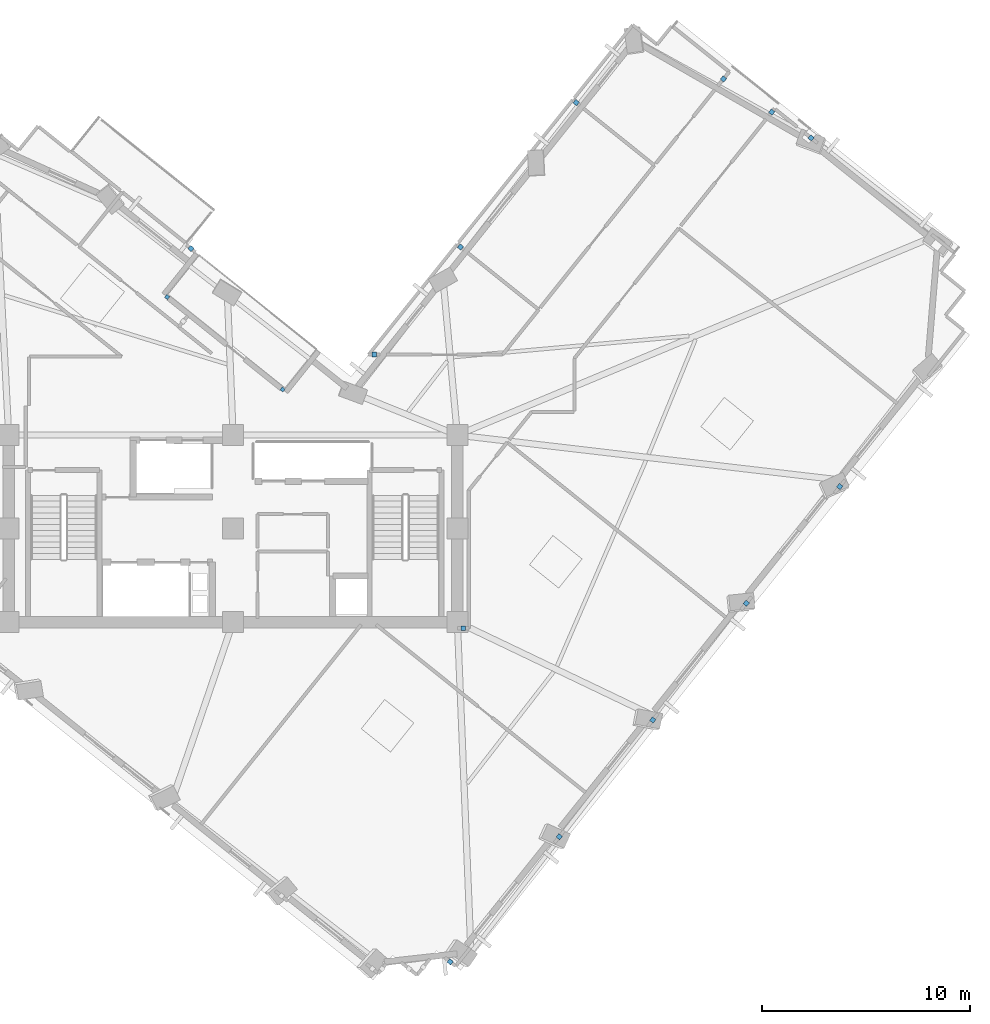
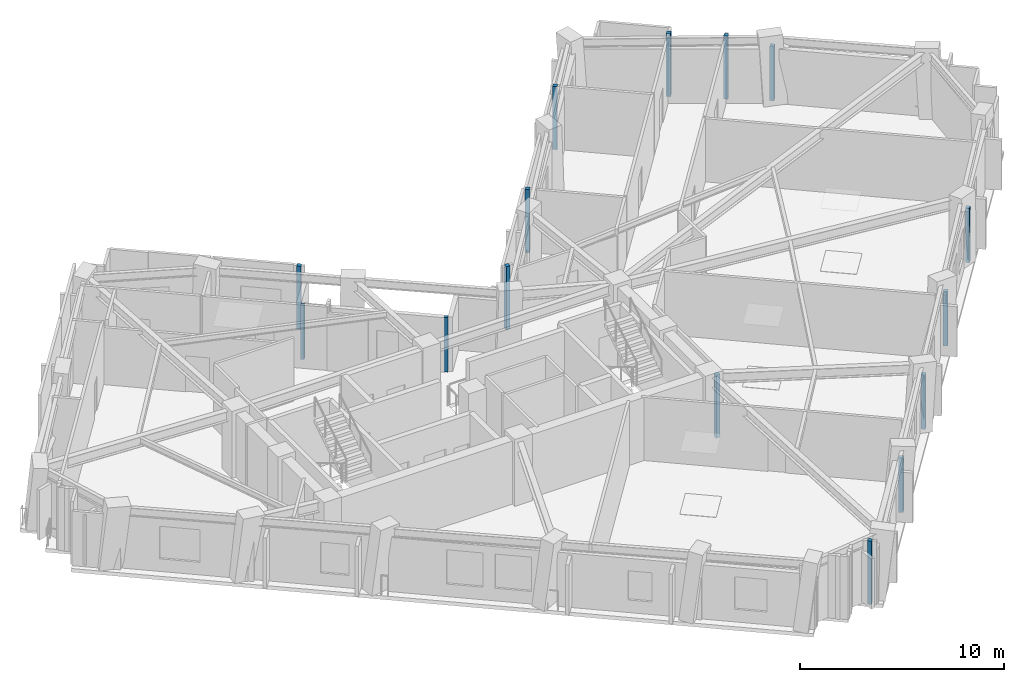
# One storey, part 3 of 10: 15 plates.
"""IFC4 building model written with IfcOpenShell, lengths in metres."""

from ifc_helpers import new_model, si_unit, direction, frame, origin, origin_2d, place, context, subcontext, project, spatial, rectangle, extrude, material, layer, layer_set, type_object, element, save


model = new_model("IFC4")

# Units and contexts
model_context = context("Model", 3, precision=1e-05, world=origin(), true_north=direction((0.0, 1.0)))
body_context = subcontext(model_context, "Body", "Model", "MODEL_VIEW")
ifc_project = project(units=[si_unit("LENGTHUNIT", "METRE"), si_unit("AREAUNIT", "SQUARE_METRE"), si_unit("VOLUMEUNIT", "CUBIC_METRE"), si_unit("PLANEANGLEUNIT", "RADIAN"), si_unit("MASSUNIT", "GRAM", prefix="KILO")], contexts=[model_context])

# Site, building, storey
site_placement = place(None, origin())
site = spatial("IfcSite", under=ifc_project, at=site_placement, CompositionType="ELEMENT")
building_placement = place(site_placement, origin())
building = spatial("IfcBuilding", under=site, at=building_placement, Name="Gaonmaruhae Medical Tower", CompositionType="ELEMENT")
storey_placement = place(building_placement, frame((0.0, 0.0, 243.199951171875)))
storey = spatial("IfcBuildingStorey", under=building, at=storey_placement, Name="L58", CompositionType="ELEMENT", Elevation=243.199951171875)

# Plates
ifc_material = material(Name="Anodised aluminium 6063-T6", Category="aluminium")
ifc_layer = layer(ifc_material, 0.011962890625)
ifc_layer_set = layer_set([ifc_layer], Name="Anodised aluminium 6063-T6")
plate_type = type_object("IfcPlateType", Name="PP-01 Interior Partition Corner Stiffener Plate", PredefinedType="SHEET", material=ifc_layer_set)
for number, where, z_axis, x_axis, name in (
    (1, (21.627685546875, 23.448974609375, 0.0), (0.0, 0.0, 1.0), (0.780441319762, -0.62522903516, 0.0), "L58 Partition End Jamb Post Plate PLT-L58-ENDP-TERB-0"),
    (2, (27.18408203125, 18.997314453125, 0.0), (0.0, 0.0, 1.0), (0.780441319762, -0.62522903516, 0.0), "L58 Partition End Jamb Post Plate PLT-L58-ENDP-TERB-1"),
):
    element("IfcPlate", number, at=place(storey_placement, frame(where, z_axis=z_axis, x_axis=x_axis)), inside=storey, type_object=plate_type, Name=name, PredefinedType="SHEET", context=body_context, shape_type="SweptSolid", body=[
        extrude(rectangle(XDim=0.179931640625, YDim=0.179931640625, at=origin_2d()), origin(), (0.0, 0.0, 1.0), 3.264892578125),
    ])
plate_1_placement = place(storey_placement, frame((40.506591796875, -2.533935546875, 0.0), z_axis=(0.0, 0.0, 1.0), x_axis=(-0.625515039842, -0.780212108937, 0.0)))
element("IfcPlate", 3, at=plate_1_placement, inside=storey, type_object=plate_type, Name="L58 Partition Corner Stiffener Plate PLT-L58-JGP-PW013", PredefinedType="SHEET", context=body_context, shape_type="SweptSolid", body=[
    extrude(rectangle(XDim=0.219970703125, YDim=0.219970703125, at=origin_2d()), origin(), (0.0, 0.0, 1.0), 3.264892578125),
])
plate_2_placement = place(storey_placement, frame((35.25244140625, -8.5576171875, 0.0), z_axis=(0.0, 0.0, 1.0), x_axis=(-0.780724959334, 0.624874817762, 0.0)))
element("IfcPlate", 4, at=plate_2_placement, inside=storey, type_object=plate_type, Name="L58 Partition Corner Stiffener Plate PLT-L58-JGP-PW015", PredefinedType="SHEET", context=body_context, shape_type="SweptSolid", body=[
    extrude(rectangle(XDim=0.219970703125, YDim=0.219970703125, at=origin_2d()), origin(), (0.0, 0.0, 1.0), 3.780029296875),
])
plate_3_placement = place(storey_placement, frame((45.007568359375, 3.08447265625, 0.0), z_axis=(0.0, 0.0, 1.0), x_axis=(-0.625787347131, -0.779993715469, 0.0)))
element("IfcPlate", 5, at=plate_3_placement, inside=storey, type_object=plate_type, Name="L58 Partition Corner Stiffener Plate PLT-L58-JGP-PW019", PredefinedType="SHEET", context=body_context, shape_type="SweptSolid", body=[
    extrude(rectangle(XDim=0.219970703125, YDim=0.219970703125, at=origin_2d()), origin(), (0.0, 0.0, 1.0), 3.264892578125),
])
plate_4_placement = place(storey_placement, frame((35.875, 7.5, 0.0), z_axis=(0.0, 0.0, 1.0), x_axis=(1.0, 0.0, 0.0)))
element("IfcPlate", 6, at=plate_4_placement, inside=storey, type_object=plate_type, Name="L58 Partition Corner Stiffener Plate PLT-L58-JGP-PW020", PredefinedType="SHEET", context=body_context, shape_type="SweptSolid", body=[
    extrude(rectangle(XDim=0.219970703125, YDim=0.219970703125, at=origin_2d()), origin(), (0.0, 0.0, 1.0), 3.780029296875),
])
for number, where, z_axis, x_axis, name in (
    (7, (54.010009765625, 14.322509765625, 0.0), (0.0, 0.0, 1.0), (-0.624997446042, -0.780626794596, 0.0), "L58 Partition Corner Stiffener Plate PLT-L58-JGP-PW025"),
    (8, (49.509033203125, 8.70361328125, 0.0), (0.0, 0.0, 1.0), (-0.625310759356, -0.780375841652, 0.0), "L58 Partition Corner Stiffener Plate PLT-L58-JGP-PW026"),
):
    element("IfcPlate", number, at=place(storey_placement, frame(where, z_axis=z_axis, x_axis=x_axis)), inside=storey, type_object=plate_type, Name=name, PredefinedType="SHEET", context=body_context, shape_type="SweptSolid", body=[
        extrude(rectangle(XDim=0.219970703125, YDim=0.219970703125, at=origin_2d()), origin(), (0.0, 0.0, 1.0), 3.264892578125),
    ])
plate_5_placement = place(storey_placement, frame((50.734619140625, 32.3525390625, 0.0), z_axis=(0.0, 0.0, 1.0), x_axis=(0.624983821439, 0.78063770274, 0.0)))
element("IfcPlate", 9, at=plate_5_placement, inside=storey, type_object=plate_type, Name="L58 Partition Corner Stiffener Plate PLT-L58-JGP-PW031", PredefinedType="SHEET", context=body_context, shape_type="SweptSolid", body=[
    extrude(rectangle(XDim=0.219970703125, YDim=0.219970703125, at=origin_2d()), origin(), (0.0, 0.0, 1.0), 3.780029296875),
])
plate_6_placement = place(storey_placement, frame((52.62744140625, 31.10791015625, 0.0), z_axis=(0.0, 0.0, 1.0), x_axis=(0.779873558549, -0.625937083641, 0.0)))
element("IfcPlate", 10, at=plate_6_placement, inside=storey, type_object=plate_type, Name="L58 Partition Corner Stiffener Plate PLT-L58-JGP-PW033", PredefinedType="SHEET", context=body_context, shape_type="SweptSolid", body=[
    extrude(rectangle(XDim=0.219970703125, YDim=0.219970703125, at=origin_2d()), origin(), (0.0, 0.0, 1.0), 3.264892578125),
])
for number, where, z_axis, x_axis, name in (
    (11, (35.74951171875, 25.85595703125, 0.0), (0.0, 0.0, 1.0), (0.779971870894, -0.625814573667, 0.0), "L58 Partition Corner Stiffener Plate PLT-L58-JGP-PW054"),
    (12, (31.60302734375, 20.679931640625, 0.0), (0.0, 0.0, 1.0), (-1.0, 0.0, 0.0), "L58 Partition Corner Stiffener Plate PLT-L58-JGP-PW058"),
    (13, (41.319580078125, 32.80810546875, 0.0), (0.0, 0.0, 1.0), (0.779971870894, -0.625814573667, 0.0), "L58 Partition Corner Stiffener Plate PLT-L58-JGP-PW062"),
    (14, (48.412109375, 33.947998046875, 0.0), (0.0, 0.0, 1.0), (-0.625528657017, -0.780201191521, 0.0), "L58 Partition Corner Stiffener Plate PLT-L58-JGP-PW066"),
    (15, (22.77587890625, 25.783447265625, 0.0), (0.0, 0.0, 1.0), (0.779633158478, -0.626236487441, 0.0), "L58 Partition Corner Stiffener Plate PLT-L58-JGP-PW074"),
):
    element("IfcPlate", number, at=place(storey_placement, frame(where, z_axis=z_axis, x_axis=x_axis)), inside=storey, type_object=plate_type, Name=name, PredefinedType="SHEET", context=body_context, shape_type="SweptSolid", body=[
        extrude(rectangle(XDim=0.219970703125, YDim=0.219970703125, at=origin_2d()), origin(), (0.0, 0.0, 1.0), 3.780029296875),
    ])

save(model, "model.ifc")
